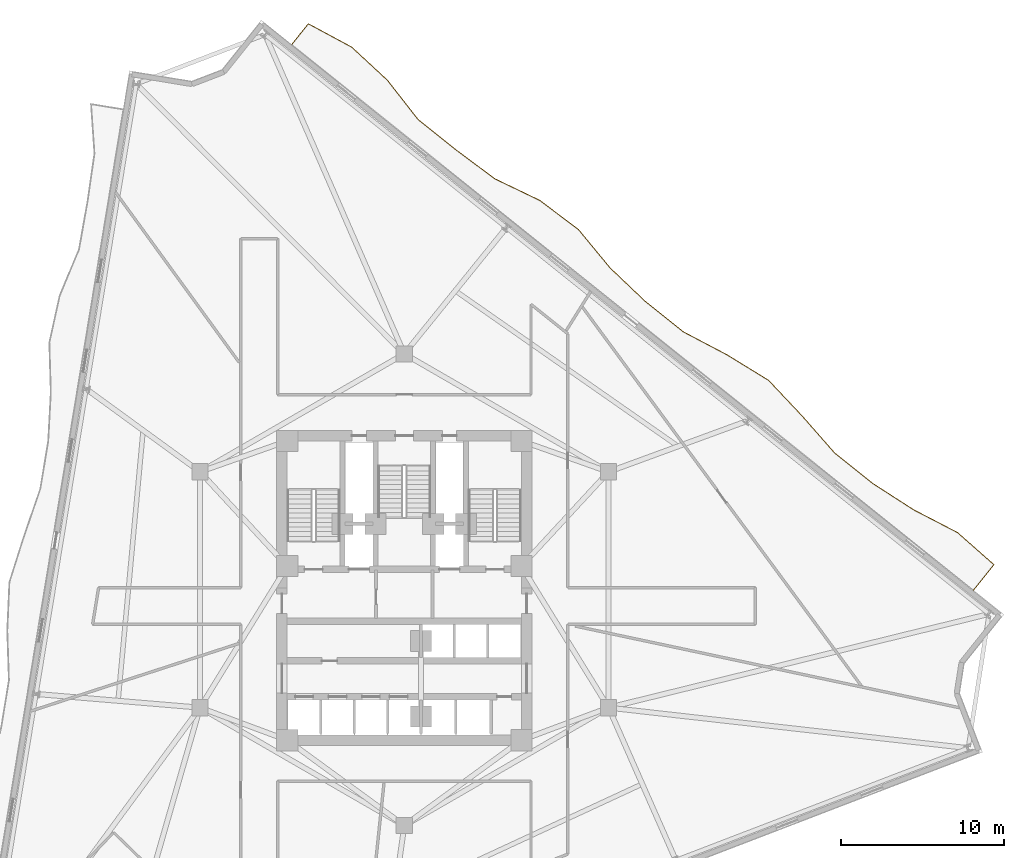
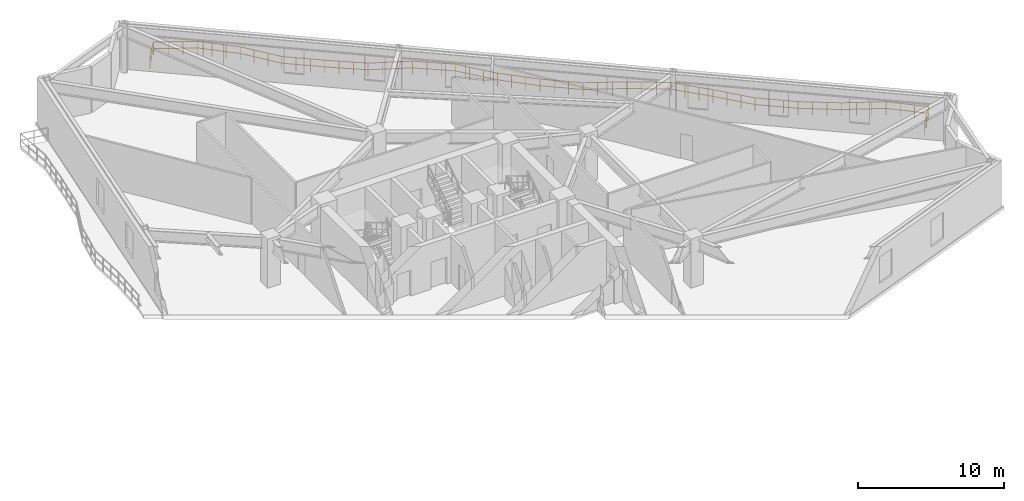
# One storey, part 10 of 10: 1 railing.
"""IFC4 building model written with IfcOpenShell, lengths in metres."""

from ifc_helpers import new_model, si_unit, direction, frame, origin, origin_2d, place, context, subcontext, project, spatial, rectangle, extrude, material, type_object, element, save


model = new_model("IFC4")

# Units and contexts
model_context = context("Model", 3, precision=1e-05, world=origin(), true_north=direction((0.0, 1.0)))
body_context = subcontext(model_context, "Body", "Model", "MODEL_VIEW")
ifc_project = project(units=[si_unit("LENGTHUNIT", "METRE"), si_unit("AREAUNIT", "SQUARE_METRE"), si_unit("VOLUMEUNIT", "CUBIC_METRE"), si_unit("PLANEANGLEUNIT", "RADIAN"), si_unit("MASSUNIT", "GRAM", prefix="KILO")], contexts=[model_context])

# Site, building, storey
site_placement = place(None, origin())
site = spatial("IfcSite", under=ifc_project, at=site_placement, CompositionType="ELEMENT")
building_placement = place(site_placement, origin())
building = spatial("IfcBuilding", under=site, at=building_placement, Name="Apsidion Concourse Tower", CompositionType="ELEMENT")
storey_placement = place(building_placement, frame((0.0, 0.0, 152.699951171875)))
storey = spatial("IfcBuildingStorey", under=building, at=storey_placement, Name="L35", CompositionType="ELEMENT", Elevation=152.699951171875)

# Railing
ifc_material = material(Name="Brushed stainless steel 316", Category="steel")
railing_type = type_object("IfcRailingType", Name="RL-BAL-1120", PredefinedType="BALUSTRADE", material=ifc_material)
railing_placement = place(storey_placement, frame((-6.919189453125, 33.529541015625, 0.0)))
element("IfcRailing", 1, at=railing_placement, inside=storey, type_object=railing_type, Name="L35 Face 3 Rippling Balcony Balustrade", PredefinedType="BALUSTRADE", context=body_context, shape_type="SweptSolid", body=[
    extrude(rectangle(XDim=0.048095703125, YDim=0.048095703125, at=origin_2d()), frame((0.0, 0.0, 1.09619140625), z_axis=(0.624914434825, 0.780693249072, 0.0), x_axis=(-0.780693249072, 0.624914434825, 0.0)), (0.0, 0.0, 1.0), 1.62841796875),
    extrude(rectangle(XDim=0.048095703125, YDim=0.048095703125, at=origin_2d()), frame((0.0, 0.0, 0.5361328125), z_axis=(0.624914434825, 0.780693249072, 0.0), x_axis=(-0.780693249072, 0.624914434825, 0.0)), (0.0, 0.0, 1.0), 1.62841796875),
    extrude(rectangle(XDim=0.048095703125, YDim=0.048095703125, at=origin_2d()), frame((1.017578125, 1.271240234375, 1.09619140625), z_axis=(0.880527961785, -0.473994207258, 0.0), x_axis=(0.473994207258, 0.880527961785, 0.0)), (0.0, 0.0, 1.0), 3.03271484375),
    extrude(rectangle(XDim=0.048095703125, YDim=0.048095703125, at=origin_2d()), frame((1.017578125, 1.271240234375, 0.5361328125), z_axis=(0.880527961785, -0.473994207258, 0.0), x_axis=(0.473994207258, 0.880527961785, 0.0)), (0.0, 0.0, 1.0), 3.03271484375),
    extrude(rectangle(XDim=0.048095703125, YDim=0.048095703125, at=origin_2d()), frame((3.68798828125, -0.166259765625, 1.09619140625), z_axis=(0.733217834981, -0.679993828256, 0.0), x_axis=(0.679993828256, 0.733217834981, 0.0)), (0.0, 0.0, 1.0), 2.99072265625),
    extrude(rectangle(XDim=0.048095703125, YDim=0.048095703125, at=origin_2d()), frame((3.68798828125, -0.166259765625, 0.5361328125), z_axis=(0.733217834981, -0.679993828256, 0.0), x_axis=(0.679993828256, 0.733217834981, 0.0)), (0.0, 0.0, 1.0), 2.99072265625),
    extrude(rectangle(XDim=0.048095703125, YDim=0.048095703125, at=origin_2d()), frame((5.880859375, -2.199951171875, 1.09619140625), z_axis=(0.615317927086, -0.788279042349, 0.0), x_axis=(0.788279042349, 0.615317927086, 0.0)), (0.0, 0.0, 1.0), 3.06591796875),
    extrude(rectangle(XDim=0.048095703125, YDim=0.048095703125, at=origin_2d()), frame((5.880859375, -2.199951171875, 0.5361328125), z_axis=(0.615317927086, -0.788279042349, 0.0), x_axis=(0.788279042349, 0.615317927086, 0.0)), (0.0, 0.0, 1.0), 3.06591796875),
    extrude(rectangle(XDim=0.048095703125, YDim=0.048095703125, at=origin_2d()), frame((7.767333984375, -4.61669921875, 1.09619140625), z_axis=(0.780645180678, -0.624974480987, 0.0), x_axis=(0.624974480987, 0.780645180678, 0.0)), (0.0, 0.0, 1.0), 2.98291015625),
    extrude(rectangle(XDim=0.048095703125, YDim=0.048095703125, at=origin_2d()), frame((7.767333984375, -4.61669921875, 0.5361328125), z_axis=(0.780645180678, -0.624974480987, 0.0), x_axis=(0.624974480987, 0.780645180678, 0.0)), (0.0, 0.0, 1.0), 2.98291015625),
    extrude(rectangle(XDim=0.048095703125, YDim=0.048095703125, at=origin_2d()), frame((10.095947265625, -6.48095703125, 1.09619140625), z_axis=(0.802095629398, -0.597195613933, 0.0), x_axis=(0.597195613933, 0.802095629398, 0.0)), (0.0, 0.0, 1.0), 2.984619140625),
    extrude(rectangle(XDim=0.048095703125, YDim=0.048095703125, at=origin_2d()), frame((10.095947265625, -6.48095703125, 0.5361328125), z_axis=(0.802095629398, -0.597195613933, 0.0), x_axis=(0.597195613933, 0.802095629398, 0.0)), (0.0, 0.0, 1.0), 2.984619140625),
    extrude(rectangle(XDim=0.048095703125, YDim=0.048095703125, at=origin_2d()), frame((12.489990234375, -8.263427734375, 1.09619140625), z_axis=(0.901488215681, -0.432803647153, 0.0), x_axis=(0.432803647153, 0.901488215681, 0.0)), (0.0, 0.0, 1.0), 3.061767578125),
    extrude(rectangle(XDim=0.048095703125, YDim=0.048095703125, at=origin_2d()), frame((12.489990234375, -8.263427734375, 0.5361328125), z_axis=(0.901488215681, -0.432803647153, 0.0), x_axis=(0.432803647153, 0.901488215681, 0.0)), (0.0, 0.0, 1.0), 3.061767578125),
    extrude(rectangle(XDim=0.048095703125, YDim=0.048095703125, at=origin_2d()), frame((15.250244140625, -9.588623046875, 1.09619140625), z_axis=(0.798258916023, -0.602314455239, 0.0), x_axis=(0.602314455239, 0.798258916023, 0.0)), (0.0, 0.0, 1.0), 2.984130859375),
    extrude(rectangle(XDim=0.048095703125, YDim=0.048095703125, at=origin_2d()), frame((15.250244140625, -9.588623046875, 0.5361328125), z_axis=(0.798258916023, -0.602314455239, 0.0), x_axis=(0.602314455239, 0.798258916023, 0.0)), (0.0, 0.0, 1.0), 2.984130859375),
    extrude(rectangle(XDim=0.048095703125, YDim=0.048095703125, at=origin_2d()), frame((17.63232421875, -11.385986328125, 1.09619140625), z_axis=(0.636164849909, -0.771553163263, 0.0), x_axis=(0.771553163263, 0.636164849909, 0.0)), (0.0, 0.0, 1.0), 3.047607421875),
    extrude(rectangle(XDim=0.048095703125, YDim=0.048095703125, at=origin_2d()), frame((17.63232421875, -11.385986328125, 0.5361328125), z_axis=(0.636164849909, -0.771553163263, 0.0), x_axis=(0.771553163263, 0.636164849909, 0.0)), (0.0, 0.0, 1.0), 3.047607421875),
    extrude(rectangle(XDim=0.048095703125, YDim=0.048095703125, at=origin_2d()), frame((19.571044921875, -13.7373046875, 1.09619140625), z_axis=(0.724262027064, -0.689524848104, 0.0), x_axis=(0.689524848104, 0.724262027064, 0.0)), (0.0, 0.0, 1.0), 2.994140625),
    extrude(rectangle(XDim=0.048095703125, YDim=0.048095703125, at=origin_2d()), frame((19.571044921875, -13.7373046875, 0.5361328125), z_axis=(0.724262027064, -0.689524848104, 0.0), x_axis=(0.689524848104, 0.724262027064, 0.0)), (0.0, 0.0, 1.0), 2.994140625),
    extrude(rectangle(XDim=0.048095703125, YDim=0.048095703125, at=origin_2d()), frame((21.739501953125, -15.8017578125, 1.09619140625), z_axis=(0.780645180678, -0.624974480987, 0.0), x_axis=(0.624974480987, 0.780645180678, 0.0)), (0.0, 0.0, 1.0), 2.98291015625),
    extrude(rectangle(XDim=0.048095703125, YDim=0.048095703125, at=origin_2d()), frame((21.739501953125, -15.8017578125, 0.5361328125), z_axis=(0.780645180678, -0.624974480987, 0.0), x_axis=(0.624974480987, 0.780645180678, 0.0)), (0.0, 0.0, 1.0), 2.98291015625),
    extrude(rectangle(XDim=0.048095703125, YDim=0.048095703125, at=origin_2d()), frame((24.068115234375, -17.666015625, 1.09619140625), z_axis=(0.885078540112, -0.465441701864, 0.0), x_axis=(0.465441701864, 0.885078540112, 0.0)), (0.0, 0.0, 1.0), 3.0380859375),
    extrude(rectangle(XDim=0.048095703125, YDim=0.048095703125, at=origin_2d()), frame((24.068115234375, -17.666015625, 0.5361328125), z_axis=(0.885078540112, -0.465441701864, 0.0), x_axis=(0.465441701864, 0.885078540112, 0.0)), (0.0, 0.0, 1.0), 3.0380859375),
    extrude(rectangle(XDim=0.048095703125, YDim=0.048095703125, at=origin_2d()), frame((26.757080078125, -19.080078125, 1.09619140625), z_axis=(0.852173767036, -0.523258894598, 0.0), x_axis=(0.523258894598, 0.852173767036, 0.0)), (0.0, 0.0, 1.0), 3.006103515625),
    extrude(rectangle(XDim=0.048095703125, YDim=0.048095703125, at=origin_2d()), frame((26.757080078125, -19.080078125, 0.5361328125), z_axis=(0.852173767036, -0.523258894598, 0.0), x_axis=(0.523258894598, 0.852173767036, 0.0)), (0.0, 0.0, 1.0), 3.006103515625),
    extrude(rectangle(XDim=0.048095703125, YDim=0.048095703125, at=origin_2d()), frame((29.31884765625, -20.653076171875, 1.09619140625), z_axis=(0.685680616675, -0.727902529131, 0.0), x_axis=(0.727902529131, 0.685680616675, 0.0)), (0.0, 0.0, 1.0), 3.0126953125),
    extrude(rectangle(XDim=0.048095703125, YDim=0.048095703125, at=origin_2d()), frame((29.31884765625, -20.653076171875, 0.5361328125), z_axis=(0.685680616675, -0.727902529131, 0.0), x_axis=(0.727902529131, 0.685680616675, 0.0)), (0.0, 0.0, 1.0), 3.0126953125),
    extrude(rectangle(XDim=0.048095703125, YDim=0.048095703125, at=origin_2d()), frame((31.384521484375, -22.845947265625, 1.09619140625), z_axis=(0.659673515927, -0.751552295176, 0.0), x_axis=(0.751552295176, 0.659673515927, 0.0)), (0.0, 0.0, 1.0), 3.029296875),
    extrude(rectangle(XDim=0.048095703125, YDim=0.048095703125, at=origin_2d()), frame((31.384521484375, -22.845947265625, 0.5361328125), z_axis=(0.659673515927, -0.751552295176, 0.0), x_axis=(0.751552295176, 0.659673515927, 0.0)), (0.0, 0.0, 1.0), 3.029296875),
    extrude(rectangle(XDim=0.048095703125, YDim=0.048095703125, at=origin_2d()), frame((33.3828125, -25.12255859375, 1.09619140625), z_axis=(0.780677146016, -0.624934551523, 0.0), x_axis=(0.624934551523, 0.780677146016, 0.0)), (0.0, 0.0, 1.0), 2.983154296875),
    extrude(rectangle(XDim=0.048095703125, YDim=0.048095703125, at=origin_2d()), frame((33.3828125, -25.12255859375, 0.5361328125), z_axis=(0.780677146016, -0.624934551523, 0.0), x_axis=(0.624934551523, 0.780677146016, 0.0)), (0.0, 0.0, 1.0), 2.983154296875),
    extrude(rectangle(XDim=0.048095703125, YDim=0.048095703125, at=origin_2d()), frame((35.711669921875, -26.98681640625, 1.09619140625), z_axis=(0.840823843574, -0.541308843525, 0.0), x_axis=(0.541308843525, 0.840823843574, 0.0)), (0.0, 0.0, 1.0), 2.998779296875),
    extrude(rectangle(XDim=0.048095703125, YDim=0.048095703125, at=origin_2d()), frame((35.711669921875, -26.98681640625, 0.5361328125), z_axis=(0.840823843574, -0.541308843525, 0.0), x_axis=(0.541308843525, 0.840823843574, 0.0)), (0.0, 0.0, 1.0), 2.998779296875),
    extrude(rectangle(XDim=0.048095703125, YDim=0.048095703125, at=origin_2d()), frame((38.233154296875, -28.610107421875, 1.09619140625), z_axis=(0.887615994484, -0.46058424456, 0.0), x_axis=(0.46058424456, 0.887615994484, 0.0)), (0.0, 0.0, 1.0), 3.04150390625),
    extrude(rectangle(XDim=0.048095703125, YDim=0.048095703125, at=origin_2d()), frame((38.233154296875, -28.610107421875, 0.5361328125), z_axis=(0.887615994484, -0.46058424456, 0.0), x_axis=(0.46058424456, 0.887615994484, 0.0)), (0.0, 0.0, 1.0), 3.04150390625),
    extrude(rectangle(XDim=0.048095703125, YDim=0.048095703125, at=origin_2d()), frame((40.932861328125, -30.010986328125, 1.09619140625), z_axis=(0.749952366855, -0.661491834756, 0.0), x_axis=(0.661491834756, 0.749952366855, 0.0)), (0.0, 0.0, 1.0), 2.986083984375),
    extrude(rectangle(XDim=0.048095703125, YDim=0.048095703125, at=origin_2d()), frame((40.932861328125, -30.010986328125, 0.5361328125), z_axis=(0.749952366855, -0.661491834756, 0.0), x_axis=(0.661491834756, 0.749952366855, 0.0)), (0.0, 0.0, 1.0), 2.986083984375),
    extrude(rectangle(XDim=0.048095703125, YDim=0.048095703125, at=origin_2d()), frame((43.17236328125, -31.986328125, 1.09619140625), z_axis=(-0.62493206769, -0.780679134327, 0.0), x_axis=(0.780679134327, -0.62493206769, 0.0)), (0.0, 0.0, 1.0), 2.009521484375),
    extrude(rectangle(XDim=0.048095703125, YDim=0.048095703125, at=origin_2d()), frame((43.17236328125, -31.986328125, 0.5361328125), z_axis=(-0.62493206769, -0.780679134327, 0.0), x_axis=(0.780679134327, -0.62493206769, 0.0)), (0.0, 0.0, 1.0), 2.009521484375),
    extrude(rectangle(XDim=0.0419921875, YDim=0.0419921875, at=origin_2d()), origin(), (0.0, 0.0, 1.0), 1.072021484375),
    extrude(rectangle(XDim=0.0419921875, YDim=0.0419921875, at=origin_2d()), frame((0.5087890625, 0.6357421875, 0.0)), (0.0, 0.0, 1.0), 1.072021484375),
    extrude(rectangle(XDim=0.0419921875, YDim=0.0419921875, at=origin_2d()), frame((1.017578125, 1.271240234375, 0.0)), (0.0, 0.0, 1.0), 1.072021484375),
    extrude(rectangle(XDim=0.0419921875, YDim=0.0419921875, at=origin_2d()), frame((1.90771484375, 0.7919921875, 0.0)), (0.0, 0.0, 1.0), 1.072021484375),
    extrude(rectangle(XDim=0.0419921875, YDim=0.0419921875, at=origin_2d()), frame((2.7978515625, 0.31298828125, 0.0)), (0.0, 0.0, 1.0), 1.072021484375),
    extrude(rectangle(XDim=0.0419921875, YDim=0.0419921875, at=origin_2d()), frame((3.68798828125, -0.166259765625, 0.0)), (0.0, 0.0, 1.0), 1.072021484375),
    extrude(rectangle(XDim=0.0419921875, YDim=0.0419921875, at=origin_2d()), frame((4.4189453125, -0.84423828125, 0.0)), (0.0, 0.0, 1.0), 1.072021484375),
    extrude(rectangle(XDim=0.0419921875, YDim=0.0419921875, at=origin_2d()), frame((5.14990234375, -1.52197265625, 0.0)), (0.0, 0.0, 1.0), 1.072021484375),
    extrude(rectangle(XDim=0.0419921875, YDim=0.0419921875, at=origin_2d()), frame((5.880859375, -2.199951171875, 0.0)), (0.0, 0.0, 1.0), 1.072021484375),
    extrude(rectangle(XDim=0.0419921875, YDim=0.0419921875, at=origin_2d()), frame((6.509765625, -3.005615234375, 0.0)), (0.0, 0.0, 1.0), 1.072021484375),
    extrude(rectangle(XDim=0.0419921875, YDim=0.0419921875, at=origin_2d()), frame((7.138427734375, -3.81103515625, 0.0)), (0.0, 0.0, 1.0), 1.072021484375),
    extrude(rectangle(XDim=0.0419921875, YDim=0.0419921875, at=origin_2d()), frame((7.767333984375, -4.61669921875, 0.0)), (0.0, 0.0, 1.0), 1.072021484375),
    extrude(rectangle(XDim=0.0419921875, YDim=0.0419921875, at=origin_2d()), frame((8.54345703125, -5.238037109375, 0.0)), (0.0, 0.0, 1.0), 1.072021484375),
    extrude(rectangle(XDim=0.0419921875, YDim=0.0419921875, at=origin_2d()), frame((9.31982421875, -5.859619140625, 0.0)), (0.0, 0.0, 1.0), 1.072021484375),
    extrude(rectangle(XDim=0.0419921875, YDim=0.0419921875, at=origin_2d()), frame((10.095947265625, -6.48095703125, 0.0)), (0.0, 0.0, 1.0), 1.072021484375),
    extrude(rectangle(XDim=0.0419921875, YDim=0.0419921875, at=origin_2d()), frame((10.89404296875, -7.0751953125, 0.0)), (0.0, 0.0, 1.0), 1.072021484375),
    extrude(rectangle(XDim=0.0419921875, YDim=0.0419921875, at=origin_2d()), frame((11.69189453125, -7.669189453125, 0.0)), (0.0, 0.0, 1.0), 1.072021484375),
    extrude(rectangle(XDim=0.0419921875, YDim=0.0419921875, at=origin_2d()), frame((12.489990234375, -8.263427734375, 0.0)), (0.0, 0.0, 1.0), 1.072021484375),
    extrude(rectangle(XDim=0.0419921875, YDim=0.0419921875, at=origin_2d()), frame((13.41015625, -8.705078125, 0.0)), (0.0, 0.0, 1.0), 1.072021484375),
    extrude(rectangle(XDim=0.0419921875, YDim=0.0419921875, at=origin_2d()), frame((14.330078125, -9.14697265625, 0.0)), (0.0, 0.0, 1.0), 1.072021484375),
    extrude(rectangle(XDim=0.0419921875, YDim=0.0419921875, at=origin_2d()), frame((15.250244140625, -9.588623046875, 0.0)), (0.0, 0.0, 1.0), 1.072021484375),
    extrude(rectangle(XDim=0.0419921875, YDim=0.0419921875, at=origin_2d()), frame((16.044189453125, -10.187744140625, 0.0)), (0.0, 0.0, 1.0), 1.072021484375),
    extrude(rectangle(XDim=0.0419921875, YDim=0.0419921875, at=origin_2d()), frame((16.83837890625, -10.786865234375, 0.0)), (0.0, 0.0, 1.0), 1.072021484375),
    extrude(rectangle(XDim=0.0419921875, YDim=0.0419921875, at=origin_2d()), frame((17.63232421875, -11.385986328125, 0.0)), (0.0, 0.0, 1.0), 1.072021484375),
    extrude(rectangle(XDim=0.0419921875, YDim=0.0419921875, at=origin_2d()), frame((18.278564453125, -12.169677734375, 0.0)), (0.0, 0.0, 1.0), 1.072021484375),
    extrude(rectangle(XDim=0.0419921875, YDim=0.0419921875, at=origin_2d()), frame((18.9248046875, -12.95361328125, 0.0)), (0.0, 0.0, 1.0), 1.072021484375),
    extrude(rectangle(XDim=0.0419921875, YDim=0.0419921875, at=origin_2d()), frame((19.571044921875, -13.7373046875, 0.0)), (0.0, 0.0, 1.0), 1.072021484375),
    extrude(rectangle(XDim=0.0419921875, YDim=0.0419921875, at=origin_2d()), frame((20.2939453125, -14.425537109375, 0.0)), (0.0, 0.0, 1.0), 1.072021484375),
    extrude(rectangle(XDim=0.0419921875, YDim=0.0419921875, at=origin_2d()), frame((21.0166015625, -15.113525390625, 0.0)), (0.0, 0.0, 1.0), 1.072021484375),
    extrude(rectangle(XDim=0.0419921875, YDim=0.0419921875, at=origin_2d()), frame((21.739501953125, -15.8017578125, 0.0)), (0.0, 0.0, 1.0), 1.072021484375),
    extrude(rectangle(XDim=0.0419921875, YDim=0.0419921875, at=origin_2d()), frame((22.515625, -16.423095703125, 0.0)), (0.0, 0.0, 1.0), 1.072021484375),
    extrude(rectangle(XDim=0.0419921875, YDim=0.0419921875, at=origin_2d()), frame((23.2919921875, -17.044677734375, 0.0)), (0.0, 0.0, 1.0), 1.072021484375),
    extrude(rectangle(XDim=0.0419921875, YDim=0.0419921875, at=origin_2d()), frame((24.068115234375, -17.666015625, 0.0)), (0.0, 0.0, 1.0), 1.072021484375),
    extrude(rectangle(XDim=0.0419921875, YDim=0.0419921875, at=origin_2d()), frame((24.96435546875, -18.137451171875, 0.0)), (0.0, 0.0, 1.0), 1.072021484375),
    extrude(rectangle(XDim=0.0419921875, YDim=0.0419921875, at=origin_2d()), frame((25.86083984375, -18.608642578125, 0.0)), (0.0, 0.0, 1.0), 1.072021484375),
    extrude(rectangle(XDim=0.0419921875, YDim=0.0419921875, at=origin_2d()), frame((26.757080078125, -19.080078125, 0.0)), (0.0, 0.0, 1.0), 1.072021484375),
    extrude(rectangle(XDim=0.0419921875, YDim=0.0419921875, at=origin_2d()), frame((27.611083984375, -19.6044921875, 0.0)), (0.0, 0.0, 1.0), 1.072021484375),
    extrude(rectangle(XDim=0.0419921875, YDim=0.0419921875, at=origin_2d()), frame((28.46484375, -20.128662109375, 0.0)), (0.0, 0.0, 1.0), 1.072021484375),
    extrude(rectangle(XDim=0.0419921875, YDim=0.0419921875, at=origin_2d()), frame((29.31884765625, -20.653076171875, 0.0)), (0.0, 0.0, 1.0), 1.072021484375),
    extrude(rectangle(XDim=0.0419921875, YDim=0.0419921875, at=origin_2d()), frame((30.00732421875, -21.384033203125, 0.0)), (0.0, 0.0, 1.0), 1.072021484375),
    extrude(rectangle(XDim=0.0419921875, YDim=0.0419921875, at=origin_2d()), frame((30.696044921875, -22.114990234375, 0.0)), (0.0, 0.0, 1.0), 1.072021484375),
    extrude(rectangle(XDim=0.0419921875, YDim=0.0419921875, at=origin_2d()), frame((31.384521484375, -22.845947265625, 0.0)), (0.0, 0.0, 1.0), 1.072021484375),
    extrude(rectangle(XDim=0.0419921875, YDim=0.0419921875, at=origin_2d()), frame((32.050537109375, -23.604736328125, 0.0)), (0.0, 0.0, 1.0), 1.072021484375),
    extrude(rectangle(XDim=0.0419921875, YDim=0.0419921875, at=origin_2d()), frame((32.716796875, -24.36376953125, 0.0)), (0.0, 0.0, 1.0), 1.072021484375),
    extrude(rectangle(XDim=0.0419921875, YDim=0.0419921875, at=origin_2d()), frame((33.3828125, -25.12255859375, 0.0)), (0.0, 0.0, 1.0), 1.072021484375),
    extrude(rectangle(XDim=0.0419921875, YDim=0.0419921875, at=origin_2d()), frame((34.1591796875, -25.743896484375, 0.0)), (0.0, 0.0, 1.0), 1.072021484375),
    extrude(rectangle(XDim=0.0419921875, YDim=0.0419921875, at=origin_2d()), frame((34.935302734375, -26.365478515625, 0.0)), (0.0, 0.0, 1.0), 1.072021484375),
    extrude(rectangle(XDim=0.0419921875, YDim=0.0419921875, at=origin_2d()), frame((35.711669921875, -26.98681640625, 0.0)), (0.0, 0.0, 1.0), 1.072021484375),
    extrude(rectangle(XDim=0.0419921875, YDim=0.0419921875, at=origin_2d()), frame((36.55224609375, -27.52783203125, 0.0)), (0.0, 0.0, 1.0), 1.072021484375),
    extrude(rectangle(XDim=0.0419921875, YDim=0.0419921875, at=origin_2d()), frame((37.392578125, -28.069091796875, 0.0)), (0.0, 0.0, 1.0), 1.072021484375),
    extrude(rectangle(XDim=0.0419921875, YDim=0.0419921875, at=origin_2d()), frame((38.233154296875, -28.610107421875, 0.0)), (0.0, 0.0, 1.0), 1.072021484375),
    extrude(rectangle(XDim=0.0419921875, YDim=0.0419921875, at=origin_2d()), frame((39.133056640625, -29.0771484375, 0.0)), (0.0, 0.0, 1.0), 1.072021484375),
    extrude(rectangle(XDim=0.0419921875, YDim=0.0419921875, at=origin_2d()), frame((40.032958984375, -29.5439453125, 0.0)), (0.0, 0.0, 1.0), 1.072021484375),
    extrude(rectangle(XDim=0.0419921875, YDim=0.0419921875, at=origin_2d()), frame((40.932861328125, -30.010986328125, 0.0)), (0.0, 0.0, 1.0), 1.072021484375),
    extrude(rectangle(XDim=0.0419921875, YDim=0.0419921875, at=origin_2d()), frame((41.679443359375, -30.66943359375, 0.0)), (0.0, 0.0, 1.0), 1.072021484375),
    extrude(rectangle(XDim=0.0419921875, YDim=0.0419921875, at=origin_2d()), frame((42.42578125, -31.327880859375, 0.0)), (0.0, 0.0, 1.0), 1.072021484375),
    extrude(rectangle(XDim=0.0419921875, YDim=0.0419921875, at=origin_2d()), frame((43.17236328125, -31.986328125, 0.0)), (0.0, 0.0, 1.0), 1.072021484375),
    extrude(rectangle(XDim=0.0419921875, YDim=0.0419921875, at=origin_2d()), frame((42.54443359375, -32.770751953125, 0.0)), (0.0, 0.0, 1.0), 1.072021484375),
    extrude(rectangle(XDim=0.0419921875, YDim=0.0419921875, at=origin_2d()), frame((41.91650390625, -33.55517578125, 0.0)), (0.0, 0.0, 1.0), 1.072021484375),
])

save(model, "model.ifc")
